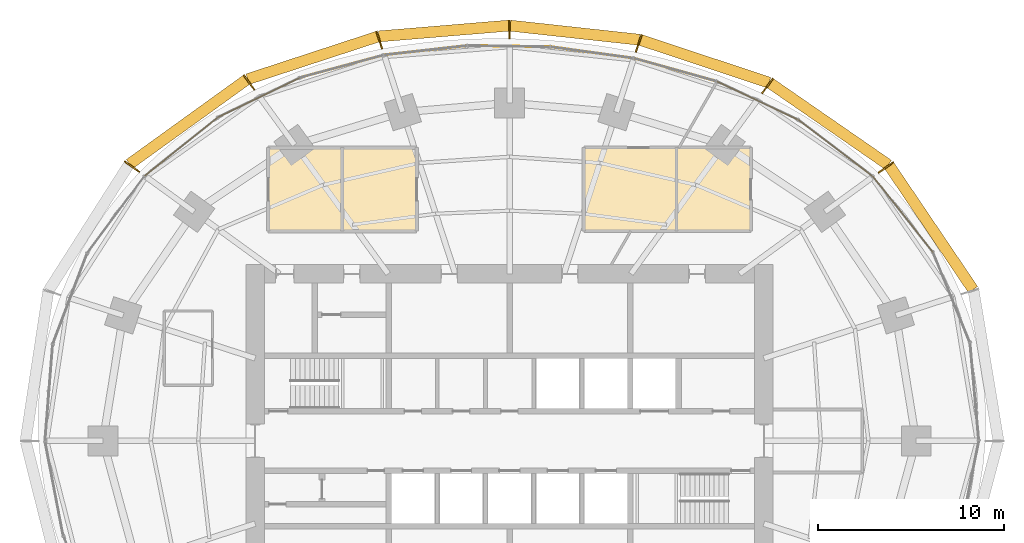
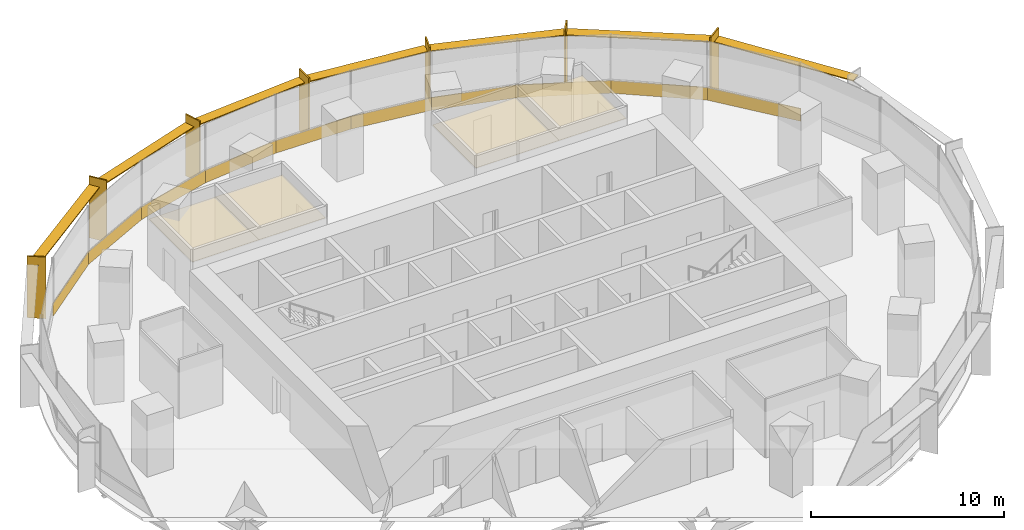
# One storey, part 14 of 14: 14 coverings, 14 shading devices.
"""IFC4 building model written with IfcOpenShell, lengths in metres."""

from ifc_helpers import new_model, si_unit, direction, frame, origin, origin_2d, place, context, subcontext, project, spatial, polyline, rectangle, outline, extrude, material, layer, layer_set, type_object, element, save


model = new_model("IFC4")

# Units and contexts
model_context = context("Model", 3, precision=1e-05, world=origin(), true_north=direction((0.0, 1.0)))
body_context = subcontext(model_context, "Body", "Model", "MODEL_VIEW")
ifc_project = project(units=[si_unit("LENGTHUNIT", "METRE"), si_unit("AREAUNIT", "SQUARE_METRE"), si_unit("VOLUMEUNIT", "CUBIC_METRE"), si_unit("PLANEANGLEUNIT", "RADIAN"), si_unit("MASSUNIT", "GRAM", prefix="KILO")], contexts=[model_context])

# Site, building, storey
site_placement = place(None, origin())
site = spatial("IfcSite", under=ifc_project, at=site_placement, CompositionType="ELEMENT")
building_placement = place(site_placement, origin())
building = spatial("IfcBuilding", under=site, at=building_placement, Name="Marramba Exchange Tower", CompositionType="ELEMENT")
storey_placement = place(building_placement, frame((0.0, 0.0, 143.10009765625)))
storey = spatial("IfcBuildingStorey", under=building, at=storey_placement, Name="L34", CompositionType="ELEMENT", Elevation=143.10009765625)

# Shading devices
ifc_material_1 = material(Name="Aluminium blade, timber-look bronze finish", Category="wood")
ifc_layer_1 = layer(ifc_material_1, 0.080078125)
ifc_layer_set_1 = layer_set([ifc_layer_1], Name="Floor-edge blade 1000x80")
shading_device_type_1 = type_object("IfcShadingDeviceType", Name="Floor-edge blade 1000x80", PredefinedType="USERDEFINED", material=ifc_layer_set_1)
for number, where, z_axis, x_axis, name in (
    (1, (20.27392578125, 14.72998046875, -0.16015625), (0.0, 0.0, 1.0), (0.809016994375, 0.587785252292, 0.0), "Floor-edge blade FB1 L34 TC03"),
    (2, (13.8955078125, 19.12548828125, -0.16015625), (0.0, 0.0, 1.0), (0.587785252292, 0.809016994375, 0.0), "Floor-edge blade FB1 L34 TC04"),
    (3, (6.958984375, 21.41748046875, -0.16015625), (0.0, 0.0, 1.0), (0.309016994375, 0.951056516295, 0.0), "Floor-edge blade FB1 L34 TC05"),
    (4, (0.0, 22.173095703125, -0.16015625), (0.0, 0.0, 1.0), (0.0, 1.0, 0.0), "Floor-edge blade FB1 L34 TC06"),
    (5, (-7.016845703125, 21.595703125, -0.16015625), (0.0, 0.0, 1.0), (-0.309016994375, 0.951056516295, 0.0), "Floor-edge blade FB1 L34 TC07"),
    (6, (-14.029296875, 19.3095703125, -0.16015625), (0.0, 0.0, 1.0), (-0.587785252292, 0.809016994375, 0.0), "Floor-edge blade FB1 L34 TC08"),
    (7, (-20.33642578125, 14.775390625, -0.16015625), (0.0, 0.0, 1.0), (-0.809016994375, 0.587785252292, 0.0), "Floor-edge blade FB1 L34 TC09"),
):
    element("IfcShadingDevice", number, at=place(storey_placement, frame(where, z_axis=z_axis, x_axis=x_axis)), inside=storey, type_object=shading_device_type_1, Name=name, ObjectType="FIN", PredefinedType="USERDEFINED", context=body_context, shape_type="SweptSolid", body=[
        extrude(rectangle(XDim=1.0, YDim=0.080078125, at=origin_2d()), origin(), (0.0, 0.0, 1.0), 3.89990234375),
    ])
ifc_material_2 = material(Name="Aluminium sunshade, bronze anodised", Category="aluminium")
ifc_layer_2 = layer(ifc_material_2, 0.06005859375)
ifc_layer_set_2 = layer_set([ifc_layer_2], Name="SUNSHADE blade 600x60")
shading_device_type_2 = type_object("IfcShadingDeviceType", Name="SUNSHADE blade 600x60", PredefinedType="USERDEFINED", material=ifc_layer_set_2)
shading_device_1_placement = place(storey_placement, frame((22.712158203125, 11.4833984375, 3.159912109375), z_axis=(0.0, 0.0, 1.0), x_axis=(-0.560441804861, 0.828193807852, 0.0)))
element("IfcShadingDevice", 8, at=shading_device_1_placement, inside=storey, type_object=shading_device_type_2, Name="Sunshade SS1 L34 bay 02", ObjectType="SUNSHADE", PredefinedType="USERDEFINED", context=body_context, shape_type="SweptSolid", body=[
    extrude(rectangle(XDim=8.0439453125, YDim=0.60009765625, at=origin_2d()), origin(), (0.0, 0.0, 1.0), 0.06005859375),
])
shading_device_2_placement = place(storey_placement, frame((17.224365234375, 17.0673828125, 3.159912109375), z_axis=(0.0, 0.0, 1.0), x_axis=(-0.822589509071, 0.568635647464, 0.0)))
element("IfcShadingDevice", 9, at=shading_device_2_placement, inside=storey, type_object=shading_device_type_2, Name="Sunshade SS1 L34 bay 03", ObjectType="SUNSHADE", PredefinedType="USERDEFINED", context=body_context, shape_type="SweptSolid", body=[
    extrude(rectangle(XDim=7.72802734375, YDim=0.60009765625, at=origin_2d()), origin(), (0.0, 0.0, 1.0), 0.06005859375),
])
shading_device_3_placement = place(storey_placement, frame((10.516845703125, 20.447509765625, 3.159912109375), z_axis=(0.0, 0.0, 1.0), x_axis=(-0.949101076178, 0.314971660944, 0.0)))
element("IfcShadingDevice", 10, at=shading_device_3_placement, inside=storey, type_object=shading_device_type_2, Name="Sunshade SS1 L34 bay 04", ObjectType="SUNSHADE", PredefinedType="USERDEFINED", context=body_context, shape_type="SweptSolid", body=[
    extrude(rectangle(XDim=7.287353515625, YDim=0.60009765625, at=origin_2d()), origin(), (0.0, 0.0, 1.0), 0.06005859375),
])
shading_device_4_placement = place(storey_placement, frame((3.510498046875, 21.990478515625, 3.159912109375), z_axis=(0.0, 0.0, 1.0), x_axis=(-0.994111392801, 0.108362995081, 0.0)))
element("IfcShadingDevice", 11, at=shading_device_4_placement, inside=storey, type_object=shading_device_type_2, Name="Sunshade SS1 L34 bay 05", ObjectType="SUNSHADE", PredefinedType="USERDEFINED", context=body_context, shape_type="SweptSolid", body=[
    extrude(rectangle(XDim=6.982421875, YDim=0.60009765625, at=origin_2d()), origin(), (0.0, 0.0, 1.0), 0.06005859375),
])
shading_device_5_placement = place(storey_placement, frame((-3.539306640625, 22.07958984375, 3.159912109375), z_axis=(0.0, 0.0, 1.0), x_axis=(-0.996577838412, -0.08265961521, 0.0)))
element("IfcShadingDevice", 12, at=shading_device_5_placement, inside=storey, type_object=shading_device_type_2, Name="Sunshade SS1 L34 bay 06", ObjectType="SUNSHADE", PredefinedType="USERDEFINED", context=body_context, shape_type="SweptSolid", body=[
    extrude(rectangle(XDim=7.02294921875, YDim=0.60009765625, at=origin_2d()), origin(), (0.0, 0.0, 1.0), 0.06005859375),
])
shading_device_6_placement = place(storey_placement, frame((-10.61279296875, 20.628662109375, 3.159912109375), z_axis=(0.0, 0.0, 1.0), x_axis=(-0.950345637432, -0.311196351865, 0.0)))
element("IfcShadingDevice", 13, at=shading_device_6_placement, inside=storey, type_object=shading_device_type_2, Name="Sunshade SS1 L34 bay 07", ObjectType="SUNSHADE", PredefinedType="USERDEFINED", context=body_context, shape_type="SweptSolid", body=[
    extrude(rectangle(XDim=7.357421875, YDim=0.60009765625, at=origin_2d()), origin(), (0.0, 0.0, 1.0), 0.06005859375),
])
shading_device_7_placement = place(storey_placement, frame((-17.322509765625, 17.18212890625, 3.159912109375), z_axis=(0.0, 0.0, 1.0), x_axis=(-0.811199164202, -0.584769968448, 0.0)))
element("IfcShadingDevice", 14, at=shading_device_7_placement, inside=storey, type_object=shading_device_type_2, Name="Sunshade SS1 L34 bay 08", ObjectType="SUNSHADE", PredefinedType="USERDEFINED", context=body_context, shape_type="SweptSolid", body=[
    extrude(rectangle(XDim=7.749755859375, YDim=0.60009765625, at=origin_2d()), origin(), (0.0, 0.0, 1.0), 0.06005859375),
])

# Coverings
ifc_material_3 = material(Name="Aluminium spandrel panel, bronze anodised, insulated", Category="aluminium")
ifc_layer_3 = layer(ifc_material_3, 0.050048828125)
ifc_layer_set_3 = layer_set([ifc_layer_3], Name="Spandrel panel 800")
covering_type_1 = type_object("IfcCoveringType", Name="Spandrel panel 800", PredefinedType="CLADDING", material=ifc_layer_set_3)
covering_1_placement = place(storey_placement, frame((21.20068359375, 12.194091796875, 0.0), z_axis=(0.0, 0.0, 1.0), x_axis=(-0.621311998758, 0.783563271344, 0.0)))
element("IfcCovering", 15, at=covering_1_placement, inside=storey, type_object=covering_type_1, Name="Spandrel panel SP1 L34 F03", PredefinedType="CLADDING", context=body_context, shape_type="SweptSolid", body=[
    extrude(rectangle(XDim=5.197021484375, YDim=0.050048828125, at=origin_2d()), origin(), (0.0, 0.0, 1.0), 0.800048828125),
])
covering_2_placement = place(storey_placement, frame((17.576171875, 15.759033203125, 0.0), z_axis=(0.0, 0.0, 1.0), x_axis=(-0.795971745176, 0.605333776426, 0.0)))
element("IfcCovering", 16, at=covering_2_placement, inside=storey, type_object=covering_type_1, Name="Spandrel panel SP1 L34 F04", PredefinedType="CLADDING", context=body_context, shape_type="SweptSolid", body=[
    extrude(rectangle(XDim=5.05078125, YDim=0.050048828125, at=origin_2d()), origin(), (0.0, 0.0, 1.0), 0.800048828125),
])
covering_3_placement = place(storey_placement, frame((13.371337890625, 18.322998046875, 0.0), z_axis=(0.0, 0.0, 1.0), x_axis=(-0.904403135206, 0.426678999987, 0.0)))
element("IfcCovering", 17, at=covering_3_placement, inside=storey, type_object=covering_type_1, Name="Spandrel panel SP1 L34 F05", PredefinedType="CLADDING", context=body_context, shape_type="SweptSolid", body=[
    extrude(rectangle(XDim=4.853271484375, YDim=0.050048828125, at=origin_2d()), origin(), (0.0, 0.0, 1.0), 0.800048828125),
])
covering_4_placement = place(storey_placement, frame((8.9365234375, 19.98388671875, 0.0), z_axis=(0.0, 0.0, 1.0), x_axis=(-0.963177847397, 0.268865085655, 0.0)))
element("IfcCovering", 18, at=covering_4_placement, inside=storey, type_object=covering_type_1, Name="Spandrel panel SP1 L34 F06", PredefinedType="CLADDING", context=body_context, shape_type="SweptSolid", body=[
    extrude(rectangle(XDim=4.651611328125, YDim=0.050048828125, at=origin_2d()), origin(), (0.0, 0.0, 1.0), 0.800048828125),
])
covering_5_placement = place(storey_placement, frame((4.46337890625, 20.915283203125, 0.0), z_axis=(0.0, 0.0, 1.0), x_axis=(-0.990738214019, 0.135785828725, 0.0)))
element("IfcCovering", 19, at=covering_5_placement, inside=storey, type_object=covering_type_1, Name="Spandrel panel SP1 L34 F07", PredefinedType="CLADDING", context=body_context, shape_type="SweptSolid", body=[
    extrude(rectangle(XDim=4.507568359375, YDim=0.050048828125, at=origin_2d()), origin(), (0.0, 0.0, 1.0), 0.800048828125),
])
covering_6_placement = place(storey_placement, frame((-0.003662109375, 21.25634765625, 0.0), z_axis=(0.0, 0.0, 1.0), x_axis=(-0.999875870008, 0.015755779107, 0.0)))
element("IfcCovering", 20, at=covering_6_placement, inside=storey, type_object=covering_type_1, Name="Spandrel panel SP1 L34 F08", PredefinedType="CLADDING", context=body_context, shape_type="SweptSolid", body=[
    extrude(rectangle(XDim=4.46875, YDim=0.050048828125, at=origin_2d()), origin(), (0.0, 0.0, 1.0), 0.800048828125),
])
covering_7_placement = place(storey_placement, frame((-4.49609375, 21.03955078125, 0.0), z_axis=(0.0, 0.0, 1.0), x_axis=(-0.993823395975, -0.110973229261, 0.0)))
element("IfcCovering", 21, at=covering_7_placement, inside=storey, type_object=covering_type_1, Name="Spandrel panel SP1 L34 F09", PredefinedType="CLADDING", context=body_context, shape_type="SweptSolid", body=[
    extrude(rectangle(XDim=4.54443359375, YDim=0.050048828125, at=origin_2d()), origin(), (0.0, 0.0, 1.0), 0.800048828125),
])
covering_8_placement = place(storey_placement, frame((-9.0244140625, 20.17529296875, 0.0), z_axis=(0.0, 0.0, 1.0), x_axis=(-0.965522049344, -0.26032128655, 0.0)))
element("IfcCovering", 22, at=covering_8_placement, inside=storey, type_object=covering_type_1, Name="Spandrel panel SP1 L34 F10", PredefinedType="CLADDING", context=body_context, shape_type="SweptSolid", body=[
    extrude(rectangle(XDim=4.70263671875, YDim=0.050048828125, at=origin_2d()), origin(), (0.0, 0.0, 1.0), 0.800048828125),
])
covering_9_placement = place(storey_placement, frame((-13.49609375, 18.498291015625, 0.0), z_axis=(0.0, 0.0, 1.0), x_axis=(-0.900223736484, -0.435427633794, 0.0)))
element("IfcCovering", 23, at=covering_9_placement, inside=storey, type_object=covering_type_1, Name="Spandrel panel SP1 L34 F11", PredefinedType="CLADDING", context=body_context, shape_type="SweptSolid", body=[
    extrude(rectangle(XDim=4.890625, YDim=0.050048828125, at=origin_2d()), origin(), (0.0, 0.0, 1.0), 0.800048828125),
])
covering_10_placement = place(storey_placement, frame((-17.673095703125, 15.854736328125, 0.0), z_axis=(0.0, 0.0, 1.0), x_axis=(-0.781178328369, -0.624307952285, 0.0)))
element("IfcCovering", 24, at=covering_10_placement, inside=storey, type_object=covering_type_1, Name="Spandrel panel SP1 L34 F12", PredefinedType="CLADDING", context=body_context, shape_type="SweptSolid", body=[
    extrude(rectangle(XDim=5.058349609375, YDim=0.050048828125, at=origin_2d()), origin(), (0.0, 0.0, 1.0), 0.800048828125),
])
ifc_material_4 = material(Name="Mineral fibre ceiling tiles", Category="gypsum")
ifc_layer_4 = layer(ifc_material_4, 0.02001953125)
ifc_layer_set_4 = layer_set([ifc_layer_4], Name="Suspended ceiling 20")
covering_type_2 = type_object("IfcCoveringType", Name="Suspended ceiling 20", PredefinedType="CEILING", material=ifc_layer_set_4)
covering_11_placement = place(storey_placement, frame((0.0, 0.0, 2.89990234375)))
element("IfcCovering", 25, at=covering_11_placement, inside=storey, type_object=covering_type_2, Name="Ceiling CL1 L34 Data Room 1", PredefinedType="CEILING", context=body_context, shape_type="SweptSolid", body=[
    extrude(outline(polyline([(-9.0, 11.300048828125), (-13.0, 11.300048828125), (-13.0, 15.800048828125), (-9.0, 15.800048828125), (-9.0, 11.300048828125)])), origin(), (0.0, 0.0, 1.0), 0.02001953125),
])
covering_12_placement = place(storey_placement, frame((0.0, 0.0, 2.89990234375)))
element("IfcCovering", 26, at=covering_12_placement, inside=storey, type_object=covering_type_2, Name="Ceiling CL1 L34 Data Room 2", PredefinedType="CEILING", context=body_context, shape_type="SweptSolid", body=[
    extrude(outline(polyline([(-5.0, 11.300048828125), (-9.0, 11.300048828125), (-9.0, 15.800048828125), (-5.0, 15.800048828125), (-5.0, 11.300048828125)])), origin(), (0.0, 0.0, 1.0), 0.02001953125),
])
covering_13_placement = place(storey_placement, frame((0.0, 0.0, 2.89990234375)))
element("IfcCovering", 27, at=covering_13_placement, inside=storey, type_object=covering_type_2, Name="Ceiling CL1 L34 Meeting Room 1", PredefinedType="CEILING", context=body_context, shape_type="SweptSolid", body=[
    extrude(outline(polyline([(9.0, 15.800048828125), (9.0, 11.300048828125), (4.0, 11.300048828125), (4.0, 15.800048828125), (9.0, 15.800048828125)])), origin(), (0.0, 0.0, 1.0), 0.02001953125),
])
covering_14_placement = place(storey_placement, frame((0.0, 0.0, 2.89990234375)))
element("IfcCovering", 28, at=covering_14_placement, inside=storey, type_object=covering_type_2, Name="Ceiling CL1 L34 Meeting Room 2", PredefinedType="CEILING", context=body_context, shape_type="SweptSolid", body=[
    extrude(outline(polyline([(13.0, 15.800048828125), (13.0, 11.300048828125), (9.0, 11.300048828125), (9.0, 15.800048828125), (13.0, 15.800048828125)])), origin(), (0.0, 0.0, 1.0), 0.02001953125),
])

save(model, "model.ifc")
